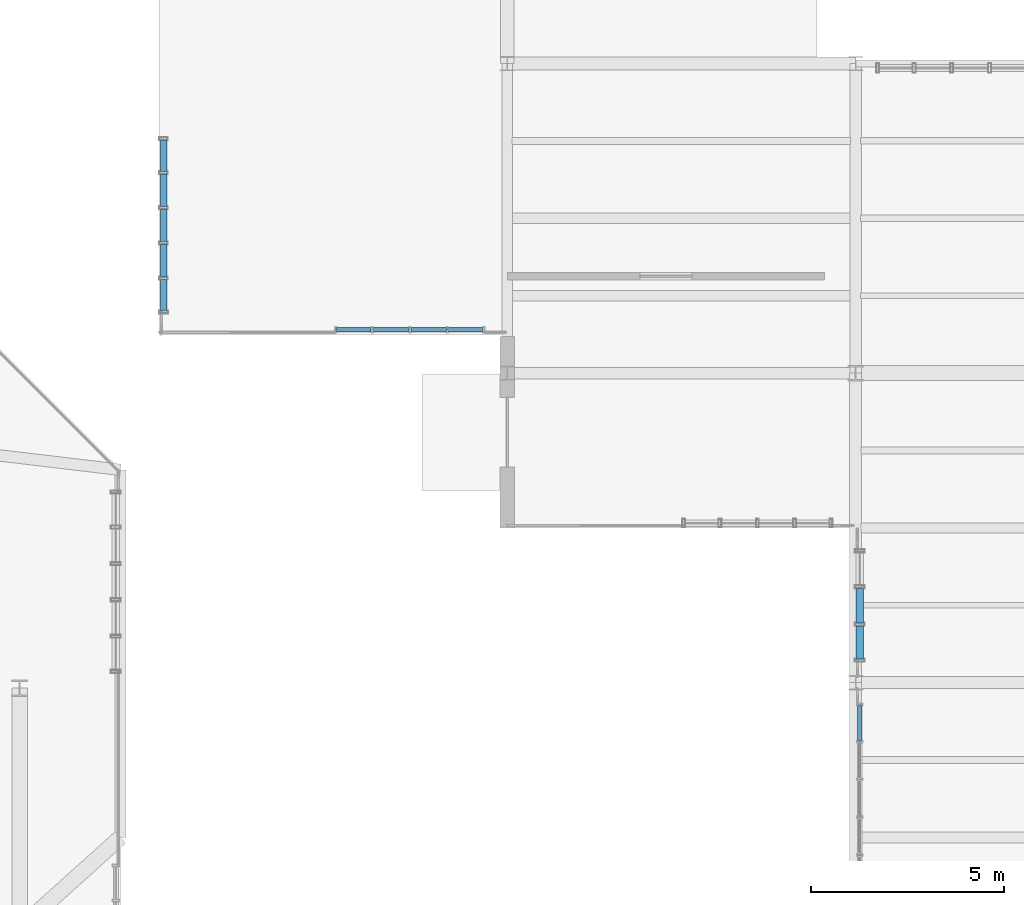
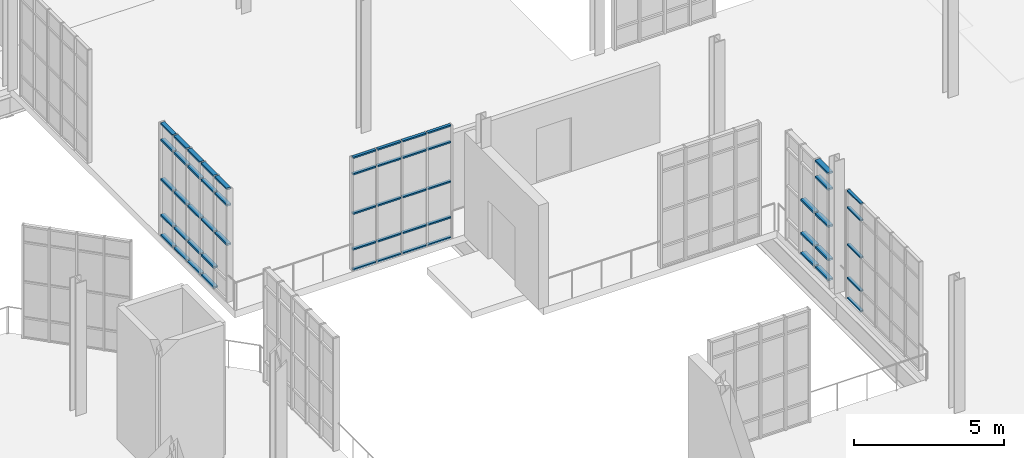
# One storey, part 128 of 189: 56 members, 4 elements without a shape of their own.
"""IFC4 building model written with IfcOpenShell, lengths in metres."""

import ifcopenshell
import ifcopenshell.guid

model = None  # the IFC model being written
_history = None  # IfcOwnerHistory: only IFC2X3 demands one
_inside = {}  # id of a spatial element -> (the spatial element, [elements in it])
_under = {}  # id of a project, library or spatial element -> (it, [spatial elements below it])
_declared = {}  # id of a project -> (the project, [libraries it declares])
_typed = {}  # id of a type object -> (the type object, [elements of that type])
_made_of = {}  # id of a material, layer set ... -> (it, [elements and type objects made of it])


def new_model(schema):
    """Start an empty IFC model of exactly this schema.

    Asked for "IFC4X3", IfcOpenShell would pick the latest addendum, in which some entities
    have other attributes; the version numbers below select the first issue.
    IFC2X3 requires an IfcOwnerHistory on every rooted entity: one is made here for all.
    """
    global model, _history
    if schema == "IFC4X3":
        model = ifcopenshell.file(schema_version=(4, 3, 0, 0))
    else:
        model = ifcopenshell.file(schema=schema)
    _inside.clear()
    _under.clear()
    _declared.clear()
    _typed.clear()
    _made_of.clear()
    _history = None
    if model.schema == "IFC2X3":
        org = make("IfcOrganization", Name="unknown")
        user = make(
            "IfcPersonAndOrganization",
            ThePerson=make("IfcPerson", FamilyName="unknown"),
            TheOrganization=org,
        )
        app = make(
            "IfcApplication",
            ApplicationDeveloper=org,
            Version="unknown",
            ApplicationFullName="unknown",
            ApplicationIdentifier="unknown",
        )
        _history = make(
            "IfcOwnerHistory",
            OwningUser=user,
            OwningApplication=app,
            ChangeAction="ADDED",
            CreationDate=0,
        )
    return model


def make(cls, **values):
    """One entity of the class cls with the attributes given. An attribute that is None is left unset."""
    return model.create_entity(
        cls, **{name: value for name, value in values.items() if value is not None}
    )


def rooted(cls, **values):
    """An entity with a GlobalId (a new one), such as an element, a storey or a relation."""
    return make(cls, GlobalId=ifcopenshell.guid.new(), OwnerHistory=_history, **values)


def si_unit(unit_type, name, prefix=None):
    """IfcSIUnit, for example si_unit("LENGTHUNIT", "METRE", prefix="MILLI")."""
    return make("IfcSIUnit", UnitType=unit_type, Prefix=prefix, Name=name)


def assignment(units):
    """IfcUnitAssignment: the units of a project."""
    return None if units is None else make("IfcUnitAssignment", Units=units)


def point(xyz):
    """IfcCartesianPoint."""
    return None if xyz is None else make("IfcCartesianPoint", Coordinates=xyz)


def direction(xyz):
    """IfcDirection."""
    return None if xyz is None else make("IfcDirection", DirectionRatios=xyz)


def frame(location, z_axis=None, x_axis=None):
    """IfcAxis2Placement3D, a coordinate frame: its origin and axes. An axis left out is left unset."""
    return make(
        "IfcAxis2Placement3D",
        Location=point(location),
        Axis=direction(z_axis),
        RefDirection=direction(x_axis),
    )


def frame_2d(location, x_axis=None):
    """IfcAxis2Placement2D, a coordinate frame in the plane: its origin and x axis."""
    return make(
        "IfcAxis2Placement2D", Location=point(location), RefDirection=direction(x_axis)
    )


def origin():
    """The frame at (0, 0, 0) with its axes left unset."""
    return frame((0.0, 0.0, 0.0))


def origin_2d():
    """The frame at (0, 0) in the plane with its x axis left unset."""
    return frame_2d((0.0, 0.0))


def place(relative_to, where):
    """IfcLocalPlacement: puts the frame where relative to a parent placement (None: the world)."""
    return make(
        "IfcLocalPlacement", PlacementRelTo=relative_to, RelativePlacement=where
    )


def context(
    kind, dimensions, precision=None, world=None, true_north=None, identifier=None
):
    """IfcGeometricRepresentationContext, for example the 3D "Model" context."""
    return make(
        "IfcGeometricRepresentationContext",
        ContextIdentifier=identifier,
        ContextType=kind,
        CoordinateSpaceDimension=dimensions,
        Precision=precision,
        WorldCoordinateSystem=world,
        TrueNorth=true_north,
    )


def subcontext(parent, identifier, kind, view, scale=None):
    """IfcGeometricRepresentationSubContext, for example "Body" below "Model"."""
    return make(
        "IfcGeometricRepresentationSubContext",
        ContextIdentifier=identifier,
        ContextType=kind,
        ParentContext=parent,
        TargetScale=scale,
        TargetView=view,
    )


def project(units=None, contexts=None):
    """IfcProject with its units and contexts."""
    return rooted(
        "IfcProject",
        Name="project",
        RepresentationContexts=contexts,
        UnitsInContext=assignment(units),
    )


def spatial(cls, under=None, at=None, **own):
    """A site, building, storey or space (cls), placed at a placement, below another one or the project."""
    s = rooted(cls, ObjectPlacement=at, **own)
    if under is not None:
        _under.setdefault(under.id(), (under, []))[1].append(s)
    return s


def profile(cls, at=None, kind="AREA", **sizes):
    """A parametric profile (cls). Its sizes go by their IFC names, for example OverallWidth=200.0."""
    return make(cls, ProfileType=kind, Position=at, **sizes)


def hollow_rectangle(**sizes):
    """IfcRectangleHollowProfileDef."""
    return profile("IfcRectangleHollowProfileDef", **sizes)


def extrude(swept, where, along, depth):
    """IfcExtrudedAreaSolid: the profile swept, set in the frame where, extruded along a direction by depth."""
    return make(
        "IfcExtrudedAreaSolid",
        SweptArea=swept,
        Position=where,
        ExtrudedDirection=direction(along),
        Depth=depth,
    )


def shape(context_of_items, identifier, shape_type, items):
    """IfcShapeRepresentation: the items that make up one representation, for example the "Body"."""
    return make(
        "IfcShapeRepresentation",
        ContextOfItems=context_of_items,
        RepresentationIdentifier=identifier,
        RepresentationType=shape_type,
        Items=items,
    )


def material(Name=None, Category=None):
    """IfcMaterial."""
    return make("IfcMaterial", Name=Name, Category=Category)


def layer(
    of_material, thickness, ventilated=None, Name=None, Category=None, Priority=None
):
    """IfcMaterialLayer: one layer of a wall or slab, of a material (None: an air gap)."""
    return make(
        "IfcMaterialLayer",
        Material=of_material,
        LayerThickness=thickness,
        IsVentilated=ventilated,
        Name=Name,
        Category=Category,
        Priority=Priority,
    )


def layer_set(layers, Name=None):
    """IfcMaterialLayerSet."""
    return make("IfcMaterialLayerSet", MaterialLayers=layers, LayerSetName=Name)


def material_profile(
    of_material, cross_section, Name=None, Category=None, Priority=None
):
    """IfcMaterialProfile: a cross section and its material."""
    return make(
        "IfcMaterialProfile",
        Name=Name,
        Material=of_material,
        Profile=cross_section,
        Priority=Priority,
        Category=Category,
    )


def profile_set(profiles, Name=None, composite=None):
    """IfcMaterialProfileSet."""
    return make(
        "IfcMaterialProfileSet",
        Name=Name,
        MaterialProfiles=profiles,
        CompositeProfile=composite,
    )


def made_of(thing, what):
    """Note that an element or type object is made of a material, layer set ...; save() writes the relation."""
    if what is not None:
        _made_of.setdefault(what.id(), (what, []))[1].append(thing)
    return thing


def type_object(cls, material=None, **own):
    """A type object (cls), such as IfcWallType, which elements share."""
    return made_of(rooted(cls, **own), material)


def element(
    cls,
    number,
    at=None,
    inside=None,
    cuts=None,
    type_object=None,
    material=None,
    context=None,
    identifier="Body",
    shape_type=None,
    held_by="IfcProductDefinitionShape",
    body=None,
    shapes=None,
    **own,
):
    """One element of the class cls, such as IfcWall. Its Tag is "e" and its number.

    at: its placement. inside: the storey or other place that contains it. cuts: it is an
    opening in that element (IfcRelVoidsElement). A single representation is given by context,
    identifier, shape_type and body (its items); several are given by shapes. held_by: the class
    of the entity that holds the representations. save() writes the other relations.
    """
    e = rooted(cls, Tag="e%d" % number, ObjectPlacement=at, **own)
    if body is not None:
        shapes = [shape(context, identifier, shape_type, body)]
    if shapes is not None:
        e.Representation = make(held_by, Representations=shapes)
    if inside is not None:
        _inside.setdefault(inside.id(), (inside, []))[1].append(e)
    if cuts is not None:
        rooted(
            "IfcRelVoidsElement", RelatingBuildingElement=cuts, RelatedOpeningElement=e
        )
    if type_object is not None:
        _typed.setdefault(type_object.id(), (type_object, []))[1].append(e)
    return made_of(e, material)


def aggregate(whole, parts):
    """IfcRelAggregates: a whole, such as a stair, and the parts it consists of."""
    return rooted("IfcRelAggregates", RelatingObject=whole, RelatedObjects=parts)


def save(model, path):
    """Write the relations noted so far, then the file.

    IfcRelAggregates (storeys below a building ...), IfcRelContainedInSpatialStructure (elements
    in a storey), IfcRelDefinesByType, IfcRelAssociatesMaterial and IfcRelDeclares: one each for
    every whole, place, type object, material and project.
    """
    for whole, parts in _under.values():
        aggregate(whole, parts)
    for where, things in _inside.values():
        rooted(
            "IfcRelContainedInSpatialStructure",
            RelatedElements=things,
            RelatingStructure=where,
        )
    for kind, things in _typed.values():
        rooted("IfcRelDefinesByType", RelatedObjects=things, RelatingType=kind)
    for what, things in _made_of.values():
        rooted("IfcRelAssociatesMaterial", RelatedObjects=things, RelatingMaterial=what)
    for by, libraries in _declared.values():
        rooted("IfcRelDeclares", RelatingContext=by, RelatedDefinitions=libraries)
    model.write(path)


model = new_model("IFC4")

# Units and contexts
model_context = context("Model", 3, precision=1e-05, world=origin(), true_north=direction((0.0, 1.0)))
body_context = subcontext(model_context, "Body", "Model", "MODEL_VIEW")
ifc_project = project(units=[si_unit("LENGTHUNIT", "METRE"), si_unit("AREAUNIT", "SQUARE_METRE"), si_unit("VOLUMEUNIT", "CUBIC_METRE"), si_unit("PLANEANGLEUNIT", "RADIAN"), si_unit("MASSUNIT", "GRAM", prefix="KILO"), si_unit("THERMODYNAMICTEMPERATUREUNIT", "KELVIN"), si_unit("POWERUNIT", "WATT")], contexts=[model_context])

# Site, building, storey
site_placement = place(None, origin())
site = spatial("IfcSite", under=ifc_project, at=site_placement, CompositionType="ELEMENT")
building_placement = place(site_placement, origin())
building = spatial("IfcBuilding", under=site, at=building_placement, Name="Zelmaris Science Centre", CompositionType="ELEMENT")
storey_placement = place(building_placement, origin())
storey = spatial("IfcBuildingStorey", under=building, at=storey_placement, Name="L00", CompositionType="ELEMENT", Elevation=0.0)

# Curtain wall, members
ifc_material = material(Name="Anodised architectural aluminium 6063-T6", Category="aluminium")
ifc_layer_1 = layer(ifc_material, 0.219970703125, Name="Anodised architectural aluminium 6063-T6")
ifc_layer_set_1 = layer_set([ifc_layer_1], Name="Anodised architectural aluminium 6063-T6")
curtain_wall_type_1 = type_object("IfcCurtainWallType", Name="Curtain Wall CW-04", PredefinedType="USERDEFINED", material=ifc_layer_set_1)
curtain_wall_1_placement = place(storey_placement, origin())
curtain_wall_1 = element("IfcCurtainWall", 1, at=curtain_wall_1_placement, inside=storey, type_object=curtain_wall_type_1, Name="L00 Unitised curtain wall 68", ObjectType="GLAZED CURTAIN WALL", PredefinedType="USERDEFINED")
ifc_material_profile_1 = material_profile(ifc_material, hollow_rectangle(XDim=0.06005859375, YDim=0.110107421875, WallThickness=0.0029296875, at=origin_2d()), Name="ALU-TRN-60X110")
ifc_profile_set_1 = profile_set([ifc_material_profile_1], Name="Anodised architectural aluminium 6063-T6")
member_type_1 = type_object("IfcMemberType", Name="ALU-TRN-60X110", PredefinedType="USERDEFINED", material=ifc_profile_set_1)
member_1_placement = place(storey_placement, frame((117.1083984375, 38.50732421875, 0.010986328125), z_axis=(-0.000542152265, 0.999999853035, 0.0), x_axis=(0.0, 0.0, 1.0)))
member_1 = element("IfcMember", 2, at=member_1_placement, type_object=member_type_1, Name="CW-04 transom 5.1", ObjectType="TRANSOM", PredefinedType="USERDEFINED", context=body_context, shape_type="SweptSolid", body=[
    extrude(hollow_rectangle(XDim=0.06005859375, YDim=0.110107421875, WallThickness=0.0029296875, at=origin_2d()), origin(), (0.0, 0.0, 1.0), 0.900634765625),
])
member_2_placement = place(storey_placement, frame((117.1083984375, 38.50732421875, 0.8349609375), z_axis=(-0.000542152265, 0.999999853035, 0.0), x_axis=(0.0, 0.0, 1.0)))
member_2 = element("IfcMember", 3, at=member_2_placement, type_object=member_type_1, Name="CW-04 transom 5.2", ObjectType="TRANSOM", PredefinedType="USERDEFINED", context=body_context, shape_type="SweptSolid", body=[
    extrude(hollow_rectangle(XDim=0.06005859375, YDim=0.110107421875, WallThickness=0.0029296875, at=origin_2d()), origin(), (0.0, 0.0, 1.0), 0.900634765625),
])
member_3_placement = place(storey_placement, frame((117.1083984375, 38.50732421875, 2.196044921875), z_axis=(-0.000542152265, 0.999999853035, 0.0), x_axis=(0.0, 0.0, 1.0)))
member_3 = element("IfcMember", 4, at=member_3_placement, type_object=member_type_1, Name="CW-04 transom 5.3", ObjectType="TRANSOM", PredefinedType="USERDEFINED", context=body_context, shape_type="SweptSolid", body=[
    extrude(hollow_rectangle(XDim=0.06005859375, YDim=0.110107421875, WallThickness=0.0029296875, at=origin_2d()), origin(), (0.0, 0.0, 1.0), 0.900634765625),
])
member_4_placement = place(storey_placement, frame((117.1083984375, 38.50732421875, 3.70703125), z_axis=(-0.000542152265, 0.999999853035, 0.0), x_axis=(0.0, 0.0, 1.0)))
member_4 = element("IfcMember", 5, at=member_4_placement, type_object=member_type_1, Name="CW-04 transom 5.4", ObjectType="TRANSOM", PredefinedType="USERDEFINED", context=body_context, shape_type="SweptSolid", body=[
    extrude(hollow_rectangle(XDim=0.06005859375, YDim=0.110107421875, WallThickness=0.0029296875, at=origin_2d()), origin(), (0.0, 0.0, 1.0), 0.900634765625),
])
member_5_placement = place(storey_placement, frame((117.1083984375, 38.50732421875, 4.381103515625), z_axis=(-0.000542152265, 0.999999853035, 0.0), x_axis=(0.0, 0.0, 1.0)))
member_5 = element("IfcMember", 6, at=member_5_placement, type_object=member_type_1, Name="CW-04 transom 5.5", ObjectType="TRANSOM", PredefinedType="USERDEFINED", context=body_context, shape_type="SweptSolid", body=[
    extrude(hollow_rectangle(XDim=0.06005859375, YDim=0.110107421875, WallThickness=0.0029296875, at=origin_2d()), origin(), (0.0, 0.0, 1.0), 0.900634765625),
])
aggregate(curtain_wall_1, [member_1, member_2, member_3, member_4, member_5])

curtain_wall_2_placement = place(storey_placement, origin())
curtain_wall_2 = element("IfcCurtainWall", 7, at=curtain_wall_2_placement, inside=storey, type_object=curtain_wall_type_1, Name="L00 Unitised curtain wall 72", ObjectType="GLAZED CURTAIN WALL", PredefinedType="USERDEFINED")
member_6_placement = place(storey_placement, frame((107.365478515625, 49.11767578125, 0.010986328125), z_axis=(-0.999999962531, 0.000273747594, 0.0), x_axis=(0.0, 0.0, 1.0)))
member_6 = element("IfcMember", 8, at=member_6_placement, type_object=member_type_1, Name="CW-04 transom 1.1", ObjectType="TRANSOM", PredefinedType="USERDEFINED", context=body_context, shape_type="SweptSolid", body=[
    extrude(hollow_rectangle(XDim=0.06005859375, YDim=0.110107421875, WallThickness=0.0029296875, at=origin_2d()), origin(), (0.0, 0.0, 1.0), 0.891845703125),
])
member_7_placement = place(storey_placement, frame((107.365478515625, 49.11767578125, 0.8349609375), z_axis=(-0.999999962531, 0.000273747594, 0.0), x_axis=(0.0, 0.0, 1.0)))
member_7 = element("IfcMember", 9, at=member_7_placement, type_object=member_type_1, Name="CW-04 transom 1.2", ObjectType="TRANSOM", PredefinedType="USERDEFINED", context=body_context, shape_type="SweptSolid", body=[
    extrude(hollow_rectangle(XDim=0.06005859375, YDim=0.110107421875, WallThickness=0.0029296875, at=origin_2d()), origin(), (0.0, 0.0, 1.0), 0.891845703125),
])
member_8_placement = place(storey_placement, frame((107.365478515625, 49.11767578125, 2.29248046875), z_axis=(-0.999999962531, 0.000273747594, 0.0), x_axis=(0.0, 0.0, 1.0)))
member_8 = element("IfcMember", 10, at=member_8_placement, type_object=member_type_1, Name="CW-04 transom 1.3", ObjectType="TRANSOM", PredefinedType="USERDEFINED", context=body_context, shape_type="SweptSolid", body=[
    extrude(hollow_rectangle(XDim=0.06005859375, YDim=0.110107421875, WallThickness=0.0029296875, at=origin_2d()), origin(), (0.0, 0.0, 1.0), 0.891845703125),
])
member_9_placement = place(storey_placement, frame((107.365478515625, 49.11767578125, 3.89990234375), z_axis=(-0.999999962531, 0.000273747594, 0.0), x_axis=(0.0, 0.0, 1.0)))
member_9 = element("IfcMember", 11, at=member_9_placement, type_object=member_type_1, Name="CW-04 transom 1.4", ObjectType="TRANSOM", PredefinedType="USERDEFINED", context=body_context, shape_type="SweptSolid", body=[
    extrude(hollow_rectangle(XDim=0.06005859375, YDim=0.110107421875, WallThickness=0.0029296875, at=origin_2d()), origin(), (0.0, 0.0, 1.0), 0.891845703125),
])
member_10_placement = place(storey_placement, frame((107.365478515625, 49.11767578125, 4.573974609375), z_axis=(-0.999999962531, 0.000273747594, 0.0), x_axis=(0.0, 0.0, 1.0)))
member_10 = element("IfcMember", 12, at=member_10_placement, type_object=member_type_1, Name="CW-04 transom 1.5", ObjectType="TRANSOM", PredefinedType="USERDEFINED", context=body_context, shape_type="SweptSolid", body=[
    extrude(hollow_rectangle(XDim=0.06005859375, YDim=0.110107421875, WallThickness=0.0029296875, at=origin_2d()), origin(), (0.0, 0.0, 1.0), 0.891845703125),
])
member_11_placement = place(storey_placement, frame((106.421630859375, 49.117919921875, 0.010986328125), z_axis=(-0.999999964596, 0.000266098979, 0.0), x_axis=(0.0, 0.0, 1.0)))
member_11 = element("IfcMember", 13, at=member_11_placement, type_object=member_type_1, Name="CW-04 transom 2.1", ObjectType="TRANSOM", PredefinedType="USERDEFINED", context=body_context, shape_type="SweptSolid", body=[
    extrude(hollow_rectangle(XDim=0.06005859375, YDim=0.110107421875, WallThickness=0.0029296875, at=origin_2d()), origin(), (0.0, 0.0, 1.0), 0.91748046875),
])
member_12_placement = place(storey_placement, frame((106.421630859375, 49.117919921875, 0.8349609375), z_axis=(-0.999999964596, 0.000266098979, 0.0), x_axis=(0.0, 0.0, 1.0)))
member_12 = element("IfcMember", 14, at=member_12_placement, type_object=member_type_1, Name="CW-04 transom 2.2", ObjectType="TRANSOM", PredefinedType="USERDEFINED", context=body_context, shape_type="SweptSolid", body=[
    extrude(hollow_rectangle(XDim=0.06005859375, YDim=0.110107421875, WallThickness=0.0029296875, at=origin_2d()), origin(), (0.0, 0.0, 1.0), 0.91748046875),
])
member_13_placement = place(storey_placement, frame((106.421630859375, 49.117919921875, 2.29248046875), z_axis=(-0.999999964596, 0.000266098979, 0.0), x_axis=(0.0, 0.0, 1.0)))
member_13 = element("IfcMember", 15, at=member_13_placement, type_object=member_type_1, Name="CW-04 transom 2.3", ObjectType="TRANSOM", PredefinedType="USERDEFINED", context=body_context, shape_type="SweptSolid", body=[
    extrude(hollow_rectangle(XDim=0.06005859375, YDim=0.110107421875, WallThickness=0.0029296875, at=origin_2d()), origin(), (0.0, 0.0, 1.0), 0.91748046875),
])
member_14_placement = place(storey_placement, frame((106.421630859375, 49.117919921875, 3.89990234375), z_axis=(-0.999999964596, 0.000266098979, 0.0), x_axis=(0.0, 0.0, 1.0)))
member_14 = element("IfcMember", 16, at=member_14_placement, type_object=member_type_1, Name="CW-04 transom 2.4", ObjectType="TRANSOM", PredefinedType="USERDEFINED", context=body_context, shape_type="SweptSolid", body=[
    extrude(hollow_rectangle(XDim=0.06005859375, YDim=0.110107421875, WallThickness=0.0029296875, at=origin_2d()), origin(), (0.0, 0.0, 1.0), 0.91748046875),
])
member_15_placement = place(storey_placement, frame((106.421630859375, 49.117919921875, 4.573974609375), z_axis=(-0.999999964596, 0.000266098979, 0.0), x_axis=(0.0, 0.0, 1.0)))
member_15 = element("IfcMember", 17, at=member_15_placement, type_object=member_type_1, Name="CW-04 transom 2.5", ObjectType="TRANSOM", PredefinedType="USERDEFINED", context=body_context, shape_type="SweptSolid", body=[
    extrude(hollow_rectangle(XDim=0.06005859375, YDim=0.110107421875, WallThickness=0.0029296875, at=origin_2d()), origin(), (0.0, 0.0, 1.0), 0.91748046875),
])
member_16_placement = place(storey_placement, frame((105.4521484375, 49.1181640625, 0.010986328125), z_axis=(-0.999999964615, 0.00026602819, 0.0), x_axis=(0.0, 0.0, 1.0)))
member_16 = element("IfcMember", 18, at=member_16_placement, type_object=member_type_1, Name="CW-04 transom 3.1", ObjectType="TRANSOM", PredefinedType="USERDEFINED", context=body_context, shape_type="SweptSolid", body=[
    extrude(hollow_rectangle(XDim=0.06005859375, YDim=0.110107421875, WallThickness=0.0029296875, at=origin_2d()), origin(), (0.0, 0.0, 1.0), 0.917724609375),
])
member_17_placement = place(storey_placement, frame((105.4521484375, 49.1181640625, 0.8349609375), z_axis=(-0.999999964615, 0.00026602819, 0.0), x_axis=(0.0, 0.0, 1.0)))
member_17 = element("IfcMember", 19, at=member_17_placement, type_object=member_type_1, Name="CW-04 transom 3.2", ObjectType="TRANSOM", PredefinedType="USERDEFINED", context=body_context, shape_type="SweptSolid", body=[
    extrude(hollow_rectangle(XDim=0.06005859375, YDim=0.110107421875, WallThickness=0.0029296875, at=origin_2d()), origin(), (0.0, 0.0, 1.0), 0.917724609375),
])
member_18_placement = place(storey_placement, frame((105.4521484375, 49.1181640625, 2.29248046875), z_axis=(-0.999999964615, 0.00026602819, 0.0), x_axis=(0.0, 0.0, 1.0)))
member_18 = element("IfcMember", 20, at=member_18_placement, type_object=member_type_1, Name="CW-04 transom 3.3", ObjectType="TRANSOM", PredefinedType="USERDEFINED", context=body_context, shape_type="SweptSolid", body=[
    extrude(hollow_rectangle(XDim=0.06005859375, YDim=0.110107421875, WallThickness=0.0029296875, at=origin_2d()), origin(), (0.0, 0.0, 1.0), 0.917724609375),
])
member_19_placement = place(storey_placement, frame((105.4521484375, 49.1181640625, 3.89990234375), z_axis=(-0.999999964615, 0.00026602819, 0.0), x_axis=(0.0, 0.0, 1.0)))
member_19 = element("IfcMember", 21, at=member_19_placement, type_object=member_type_1, Name="CW-04 transom 3.4", ObjectType="TRANSOM", PredefinedType="USERDEFINED", context=body_context, shape_type="SweptSolid", body=[
    extrude(hollow_rectangle(XDim=0.06005859375, YDim=0.110107421875, WallThickness=0.0029296875, at=origin_2d()), origin(), (0.0, 0.0, 1.0), 0.917724609375),
])
member_20_placement = place(storey_placement, frame((105.4521484375, 49.1181640625, 4.573974609375), z_axis=(-0.999999964615, 0.00026602819, 0.0), x_axis=(0.0, 0.0, 1.0)))
member_20 = element("IfcMember", 22, at=member_20_placement, type_object=member_type_1, Name="CW-04 transom 3.5", ObjectType="TRANSOM", PredefinedType="USERDEFINED", context=body_context, shape_type="SweptSolid", body=[
    extrude(hollow_rectangle(XDim=0.06005859375, YDim=0.110107421875, WallThickness=0.0029296875, at=origin_2d()), origin(), (0.0, 0.0, 1.0), 0.917724609375),
])
member_21_placement = place(storey_placement, frame((104.482421875, 49.118408203125, 0.010986328125), z_axis=(-0.999999962511, 0.000273822553, 0.0), x_axis=(0.0, 0.0, 1.0)))
member_21 = element("IfcMember", 23, at=member_21_placement, type_object=member_type_1, Name="CW-04 transom 4.1", ObjectType="TRANSOM", PredefinedType="USERDEFINED", context=body_context, shape_type="SweptSolid", body=[
    extrude(hollow_rectangle(XDim=0.06005859375, YDim=0.110107421875, WallThickness=0.0029296875, at=origin_2d()), origin(), (0.0, 0.0, 1.0), 0.8916015625),
])
member_22_placement = place(storey_placement, frame((104.482421875, 49.118408203125, 0.8349609375), z_axis=(-0.999999962511, 0.000273822553, 0.0), x_axis=(0.0, 0.0, 1.0)))
member_22 = element("IfcMember", 24, at=member_22_placement, type_object=member_type_1, Name="CW-04 transom 4.2", ObjectType="TRANSOM", PredefinedType="USERDEFINED", context=body_context, shape_type="SweptSolid", body=[
    extrude(hollow_rectangle(XDim=0.06005859375, YDim=0.110107421875, WallThickness=0.0029296875, at=origin_2d()), origin(), (0.0, 0.0, 1.0), 0.8916015625),
])
member_23_placement = place(storey_placement, frame((104.482421875, 49.118408203125, 2.29248046875), z_axis=(-0.999999962511, 0.000273822553, 0.0), x_axis=(0.0, 0.0, 1.0)))
member_23 = element("IfcMember", 25, at=member_23_placement, type_object=member_type_1, Name="CW-04 transom 4.3", ObjectType="TRANSOM", PredefinedType="USERDEFINED", context=body_context, shape_type="SweptSolid", body=[
    extrude(hollow_rectangle(XDim=0.06005859375, YDim=0.110107421875, WallThickness=0.0029296875, at=origin_2d()), origin(), (0.0, 0.0, 1.0), 0.8916015625),
])
member_24_placement = place(storey_placement, frame((104.482421875, 49.118408203125, 3.89990234375), z_axis=(-0.999999962511, 0.000273822553, 0.0), x_axis=(0.0, 0.0, 1.0)))
member_24 = element("IfcMember", 26, at=member_24_placement, type_object=member_type_1, Name="CW-04 transom 4.4", ObjectType="TRANSOM", PredefinedType="USERDEFINED", context=body_context, shape_type="SweptSolid", body=[
    extrude(hollow_rectangle(XDim=0.06005859375, YDim=0.110107421875, WallThickness=0.0029296875, at=origin_2d()), origin(), (0.0, 0.0, 1.0), 0.8916015625),
])
member_25_placement = place(storey_placement, frame((104.482421875, 49.118408203125, 4.573974609375), z_axis=(-0.999999962511, 0.000273822553, 0.0), x_axis=(0.0, 0.0, 1.0)))
member_25 = element("IfcMember", 27, at=member_25_placement, type_object=member_type_1, Name="CW-04 transom 4.5", ObjectType="TRANSOM", PredefinedType="USERDEFINED", context=body_context, shape_type="SweptSolid", body=[
    extrude(hollow_rectangle(XDim=0.06005859375, YDim=0.110107421875, WallThickness=0.0029296875, at=origin_2d()), origin(), (0.0, 0.0, 1.0), 0.8916015625),
])
aggregate(curtain_wall_2, [member_6, member_7, member_8, member_9, member_10, member_11, member_12, member_13, member_14, member_15, member_16, member_17, member_18, member_19, member_20, member_21, member_22, member_23, member_24, member_25])

ifc_layer_2 = layer(ifc_material, 0.199951171875, Name="Anodised architectural aluminium 6063-T6")
ifc_layer_set_2 = layer_set([ifc_layer_2], Name="Anodised architectural aluminium 6063-T6")
curtain_wall_type_2 = type_object("IfcCurtainWallType", Name="Curtain Wall CW-02", PredefinedType="USERDEFINED", material=ifc_layer_set_2)
curtain_wall_3_placement = place(storey_placement, origin())
curtain_wall_3 = element("IfcCurtainWall", 28, at=curtain_wall_3_placement, inside=storey, type_object=curtain_wall_type_2, Name="L00 Unitised curtain wall 74", ObjectType="GLAZED CURTAIN WALL", PredefinedType="USERDEFINED")
ifc_material_profile_2 = material_profile(ifc_material, hollow_rectangle(XDim=0.074951171875, YDim=0.159912109375, WallThickness=0.00390625, at=origin_2d()), Name="ALU-TRN-75X160")
ifc_profile_set_2 = profile_set([ifc_material_profile_2], Name="Anodised architectural aluminium 6063-T6")
member_type_2 = type_object("IfcMemberType", Name="ALU-TRN-75X160", PredefinedType="USERDEFINED", material=ifc_profile_set_2)
member_26_placement = place(storey_placement, frame((99.119873046875, 49.607177734375, 2.29248046875), z_axis=(-0.000603318141, 0.999999818004, 0.0), x_axis=(0.0, 0.0, 1.0)))
member_26 = element("IfcMember", 29, at=member_26_placement, type_object=member_type_2, Name="CW-02 transom 1.3", ObjectType="TRANSOM", PredefinedType="USERDEFINED", context=body_context, shape_type="SweptSolid", body=[
    extrude(hollow_rectangle(XDim=0.074951171875, YDim=0.159912109375, WallThickness=0.00390625, at=origin_2d()), origin(), (0.0, 0.0, 1.0), 0.809326171875),
])
member_27_placement = place(storey_placement, frame((99.119873046875, 49.607177734375, 3.89990234375), z_axis=(-0.000603318141, 0.999999818004, 0.0), x_axis=(0.0, 0.0, 1.0)))
member_27 = element("IfcMember", 30, at=member_27_placement, type_object=member_type_2, Name="CW-02 transom 1.4", ObjectType="TRANSOM", PredefinedType="USERDEFINED", context=body_context, shape_type="SweptSolid", body=[
    extrude(hollow_rectangle(XDim=0.074951171875, YDim=0.159912109375, WallThickness=0.00390625, at=origin_2d()), origin(), (0.0, 0.0, 1.0), 0.809326171875),
])
member_28_placement = place(storey_placement, frame((99.119873046875, 49.607177734375, 4.56640625), z_axis=(-0.000603318141, 0.999999818004, 0.0), x_axis=(0.0, 0.0, 1.0)))
member_28 = element("IfcMember", 31, at=member_28_placement, type_object=member_type_2, Name="CW-02 transom 1.5", ObjectType="TRANSOM", PredefinedType="USERDEFINED", context=body_context, shape_type="SweptSolid", body=[
    extrude(hollow_rectangle(XDim=0.074951171875, YDim=0.159912109375, WallThickness=0.00390625, at=origin_2d()), origin(), (0.0, 0.0, 1.0), 0.809326171875),
])
member_29_placement = place(storey_placement, frame((99.119384765625, 50.483642578125, 0.0185546875), z_axis=(-0.000579374179, 0.999999832163, 0.0), x_axis=(0.0, 0.0, 1.0)))
member_29 = element("IfcMember", 32, at=member_29_placement, type_object=member_type_2, Name="CW-02 transom 2.1", ObjectType="TRANSOM", PredefinedType="USERDEFINED", context=body_context, shape_type="SweptSolid", body=[
    extrude(hollow_rectangle(XDim=0.074951171875, YDim=0.159912109375, WallThickness=0.00390625, at=origin_2d()), origin(), (0.0, 0.0, 1.0), 0.8427734375),
])
member_30_placement = place(storey_placement, frame((99.119384765625, 50.483642578125, 0.8349609375), z_axis=(-0.000579374179, 0.999999832163, 0.0), x_axis=(0.0, 0.0, 1.0)))
member_30 = element("IfcMember", 33, at=member_30_placement, type_object=member_type_2, Name="CW-02 transom 2.2", ObjectType="TRANSOM", PredefinedType="USERDEFINED", context=body_context, shape_type="SweptSolid", body=[
    extrude(hollow_rectangle(XDim=0.074951171875, YDim=0.159912109375, WallThickness=0.00390625, at=origin_2d()), origin(), (0.0, 0.0, 1.0), 0.8427734375),
])
member_31_placement = place(storey_placement, frame((99.119384765625, 50.483642578125, 2.29248046875), z_axis=(-0.000579374179, 0.999999832163, 0.0), x_axis=(0.0, 0.0, 1.0)))
member_31 = element("IfcMember", 34, at=member_31_placement, type_object=member_type_2, Name="CW-02 transom 2.3", ObjectType="TRANSOM", PredefinedType="USERDEFINED", context=body_context, shape_type="SweptSolid", body=[
    extrude(hollow_rectangle(XDim=0.074951171875, YDim=0.159912109375, WallThickness=0.00390625, at=origin_2d()), origin(), (0.0, 0.0, 1.0), 0.8427734375),
])
member_32_placement = place(storey_placement, frame((99.119384765625, 50.483642578125, 3.89990234375), z_axis=(-0.000579374179, 0.999999832163, 0.0), x_axis=(0.0, 0.0, 1.0)))
member_32 = element("IfcMember", 35, at=member_32_placement, type_object=member_type_2, Name="CW-02 transom 2.4", ObjectType="TRANSOM", PredefinedType="USERDEFINED", context=body_context, shape_type="SweptSolid", body=[
    extrude(hollow_rectangle(XDim=0.074951171875, YDim=0.159912109375, WallThickness=0.00390625, at=origin_2d()), origin(), (0.0, 0.0, 1.0), 0.8427734375),
])
member_33_placement = place(storey_placement, frame((99.119384765625, 50.483642578125, 4.56640625), z_axis=(-0.000579374179, 0.999999832163, 0.0), x_axis=(0.0, 0.0, 1.0)))
member_33 = element("IfcMember", 36, at=member_33_placement, type_object=member_type_2, Name="CW-02 transom 2.5", ObjectType="TRANSOM", PredefinedType="USERDEFINED", context=body_context, shape_type="SweptSolid", body=[
    extrude(hollow_rectangle(XDim=0.074951171875, YDim=0.159912109375, WallThickness=0.00390625, at=origin_2d()), origin(), (0.0, 0.0, 1.0), 0.8427734375),
])
member_34_placement = place(storey_placement, frame((99.118896484375, 51.3935546875, 0.0185546875), z_axis=(-0.000579374179, 0.999999832163, 0.0), x_axis=(0.0, 0.0, 1.0)))
member_34 = element("IfcMember", 37, at=member_34_placement, type_object=member_type_2, Name="CW-02 transom 3.1", ObjectType="TRANSOM", PredefinedType="USERDEFINED", context=body_context, shape_type="SweptSolid", body=[
    extrude(hollow_rectangle(XDim=0.074951171875, YDim=0.159912109375, WallThickness=0.00390625, at=origin_2d()), origin(), (0.0, 0.0, 1.0), 0.8427734375),
])
member_35_placement = place(storey_placement, frame((99.118896484375, 51.3935546875, 0.8349609375), z_axis=(-0.000579374179, 0.999999832163, 0.0), x_axis=(0.0, 0.0, 1.0)))
member_35 = element("IfcMember", 38, at=member_35_placement, type_object=member_type_2, Name="CW-02 transom 3.2", ObjectType="TRANSOM", PredefinedType="USERDEFINED", context=body_context, shape_type="SweptSolid", body=[
    extrude(hollow_rectangle(XDim=0.074951171875, YDim=0.159912109375, WallThickness=0.00390625, at=origin_2d()), origin(), (0.0, 0.0, 1.0), 0.8427734375),
])
member_36_placement = place(storey_placement, frame((99.118896484375, 51.3935546875, 2.29248046875), z_axis=(-0.000579374179, 0.999999832163, 0.0), x_axis=(0.0, 0.0, 1.0)))
member_36 = element("IfcMember", 39, at=member_36_placement, type_object=member_type_2, Name="CW-02 transom 3.3", ObjectType="TRANSOM", PredefinedType="USERDEFINED", context=body_context, shape_type="SweptSolid", body=[
    extrude(hollow_rectangle(XDim=0.074951171875, YDim=0.159912109375, WallThickness=0.00390625, at=origin_2d()), origin(), (0.0, 0.0, 1.0), 0.8427734375),
])
member_37_placement = place(storey_placement, frame((99.118896484375, 51.3935546875, 3.89990234375), z_axis=(-0.000579374179, 0.999999832163, 0.0), x_axis=(0.0, 0.0, 1.0)))
member_37 = element("IfcMember", 40, at=member_37_placement, type_object=member_type_2, Name="CW-02 transom 3.4", ObjectType="TRANSOM", PredefinedType="USERDEFINED", context=body_context, shape_type="SweptSolid", body=[
    extrude(hollow_rectangle(XDim=0.074951171875, YDim=0.159912109375, WallThickness=0.00390625, at=origin_2d()), origin(), (0.0, 0.0, 1.0), 0.8427734375),
])
member_38_placement = place(storey_placement, frame((99.118896484375, 51.3935546875, 4.56640625), z_axis=(-0.000579374179, 0.999999832163, 0.0), x_axis=(0.0, 0.0, 1.0)))
member_38 = element("IfcMember", 41, at=member_38_placement, type_object=member_type_2, Name="CW-02 transom 3.5", ObjectType="TRANSOM", PredefinedType="USERDEFINED", context=body_context, shape_type="SweptSolid", body=[
    extrude(hollow_rectangle(XDim=0.074951171875, YDim=0.159912109375, WallThickness=0.00390625, at=origin_2d()), origin(), (0.0, 0.0, 1.0), 0.8427734375),
])
member_39_placement = place(storey_placement, frame((99.118408203125, 52.30322265625, 0.0185546875), z_axis=(-0.000289603231, 0.999999958065, 0.0), x_axis=(0.0, 0.0, 1.0)))
member_39 = element("IfcMember", 42, at=member_39_placement, type_object=member_type_2, Name="CW-02 transom 4.1", ObjectType="TRANSOM", PredefinedType="USERDEFINED", context=body_context, shape_type="SweptSolid", body=[
    extrude(hollow_rectangle(XDim=0.074951171875, YDim=0.159912109375, WallThickness=0.00390625, at=origin_2d()), origin(), (0.0, 0.0, 1.0), 0.843017578125),
])
member_40_placement = place(storey_placement, frame((99.118408203125, 52.30322265625, 0.8349609375), z_axis=(-0.000289603231, 0.999999958065, 0.0), x_axis=(0.0, 0.0, 1.0)))
member_40 = element("IfcMember", 43, at=member_40_placement, type_object=member_type_2, Name="CW-02 transom 4.2", ObjectType="TRANSOM", PredefinedType="USERDEFINED", context=body_context, shape_type="SweptSolid", body=[
    extrude(hollow_rectangle(XDim=0.074951171875, YDim=0.159912109375, WallThickness=0.00390625, at=origin_2d()), origin(), (0.0, 0.0, 1.0), 0.843017578125),
])
member_41_placement = place(storey_placement, frame((99.118408203125, 52.30322265625, 2.29248046875), z_axis=(-0.000289603231, 0.999999958065, 0.0), x_axis=(0.0, 0.0, 1.0)))
member_41 = element("IfcMember", 44, at=member_41_placement, type_object=member_type_2, Name="CW-02 transom 4.3", ObjectType="TRANSOM", PredefinedType="USERDEFINED", context=body_context, shape_type="SweptSolid", body=[
    extrude(hollow_rectangle(XDim=0.074951171875, YDim=0.159912109375, WallThickness=0.00390625, at=origin_2d()), origin(), (0.0, 0.0, 1.0), 0.843017578125),
])
member_42_placement = place(storey_placement, frame((99.118408203125, 52.30322265625, 3.89990234375), z_axis=(-0.000289603231, 0.999999958065, 0.0), x_axis=(0.0, 0.0, 1.0)))
member_42 = element("IfcMember", 45, at=member_42_placement, type_object=member_type_2, Name="CW-02 transom 4.4", ObjectType="TRANSOM", PredefinedType="USERDEFINED", context=body_context, shape_type="SweptSolid", body=[
    extrude(hollow_rectangle(XDim=0.074951171875, YDim=0.159912109375, WallThickness=0.00390625, at=origin_2d()), origin(), (0.0, 0.0, 1.0), 0.843017578125),
])
member_43_placement = place(storey_placement, frame((99.118408203125, 52.30322265625, 4.56640625), z_axis=(-0.000289603231, 0.999999958065, 0.0), x_axis=(0.0, 0.0, 1.0)))
member_43 = element("IfcMember", 46, at=member_43_placement, type_object=member_type_2, Name="CW-02 transom 4.5", ObjectType="TRANSOM", PredefinedType="USERDEFINED", context=body_context, shape_type="SweptSolid", body=[
    extrude(hollow_rectangle(XDim=0.074951171875, YDim=0.159912109375, WallThickness=0.00390625, at=origin_2d()), origin(), (0.0, 0.0, 1.0), 0.843017578125),
])
member_44_placement = place(storey_placement, frame((99.117919921875, 53.213134765625, 0.0185546875), z_axis=(-0.000301568141, 0.999999954528, 0.0), x_axis=(0.0, 0.0, 1.0)))
member_44 = element("IfcMember", 47, at=member_44_placement, type_object=member_type_2, Name="CW-02 transom 5.1", ObjectType="TRANSOM", PredefinedType="USERDEFINED", context=body_context, shape_type="SweptSolid", body=[
    extrude(hollow_rectangle(XDim=0.074951171875, YDim=0.159912109375, WallThickness=0.00390625, at=origin_2d()), origin(), (0.0, 0.0, 1.0), 0.8095703125),
])
member_45_placement = place(storey_placement, frame((99.117919921875, 53.213134765625, 0.8349609375), z_axis=(-0.000301568141, 0.999999954528, 0.0), x_axis=(0.0, 0.0, 1.0)))
member_45 = element("IfcMember", 48, at=member_45_placement, type_object=member_type_2, Name="CW-02 transom 5.2", ObjectType="TRANSOM", PredefinedType="USERDEFINED", context=body_context, shape_type="SweptSolid", body=[
    extrude(hollow_rectangle(XDim=0.074951171875, YDim=0.159912109375, WallThickness=0.00390625, at=origin_2d()), origin(), (0.0, 0.0, 1.0), 0.8095703125),
])
member_46_placement = place(storey_placement, frame((99.117919921875, 53.213134765625, 2.29248046875), z_axis=(-0.000301568141, 0.999999954528, 0.0), x_axis=(0.0, 0.0, 1.0)))
member_46 = element("IfcMember", 49, at=member_46_placement, type_object=member_type_2, Name="CW-02 transom 5.3", ObjectType="TRANSOM", PredefinedType="USERDEFINED", context=body_context, shape_type="SweptSolid", body=[
    extrude(hollow_rectangle(XDim=0.074951171875, YDim=0.159912109375, WallThickness=0.00390625, at=origin_2d()), origin(), (0.0, 0.0, 1.0), 0.8095703125),
])
member_47_placement = place(storey_placement, frame((99.117919921875, 53.213134765625, 3.89990234375), z_axis=(-0.000301568141, 0.999999954528, 0.0), x_axis=(0.0, 0.0, 1.0)))
member_47 = element("IfcMember", 50, at=member_47_placement, type_object=member_type_2, Name="CW-02 transom 5.4", ObjectType="TRANSOM", PredefinedType="USERDEFINED", context=body_context, shape_type="SweptSolid", body=[
    extrude(hollow_rectangle(XDim=0.074951171875, YDim=0.159912109375, WallThickness=0.00390625, at=origin_2d()), origin(), (0.0, 0.0, 1.0), 0.8095703125),
])
member_48_placement = place(storey_placement, frame((99.117919921875, 53.213134765625, 4.56640625), z_axis=(-0.000301568141, 0.999999954528, 0.0), x_axis=(0.0, 0.0, 1.0)))
member_48 = element("IfcMember", 51, at=member_48_placement, type_object=member_type_2, Name="CW-02 transom 5.5", ObjectType="TRANSOM", PredefinedType="USERDEFINED", context=body_context, shape_type="SweptSolid", body=[
    extrude(hollow_rectangle(XDim=0.074951171875, YDim=0.159912109375, WallThickness=0.00390625, at=origin_2d()), origin(), (0.0, 0.0, 1.0), 0.8095703125),
])
aggregate(curtain_wall_3, [member_26, member_27, member_28, member_29, member_30, member_31, member_32, member_33, member_34, member_35, member_36, member_37, member_38, member_39, member_40, member_41, member_42, member_43, member_44, member_45, member_46, member_47, member_48])

ifc_layer_3 = layer(ifc_material, 0.18994140625, Name="Anodised architectural aluminium 6063-T6")
ifc_layer_set_3 = layer_set([ifc_layer_3], Name="Anodised architectural aluminium 6063-T6")
curtain_wall_type_3 = type_object("IfcCurtainWallType", Name="Curtain Wall CW-01", PredefinedType="USERDEFINED", material=ifc_layer_set_3)
curtain_wall_4_placement = place(storey_placement, origin())
curtain_wall_4 = element("IfcCurtainWall", 52, at=curtain_wall_4_placement, inside=storey, type_object=curtain_wall_type_3, Name="L00 Unitised curtain wall 69", ObjectType="GLAZED CURTAIN WALL", PredefinedType="USERDEFINED")
ifc_material_profile_3 = material_profile(ifc_material, hollow_rectangle(XDim=0.080078125, YDim=0.18994140625, WallThickness=0.00439453125, at=origin_2d()), Name="ALU-TRN-80X190")
ifc_profile_set_3 = profile_set([ifc_material_profile_3], Name="Anodised architectural aluminium 6063-T6")
member_type_3 = type_object("IfcMemberType", Name="ALU-TRN-80X190", PredefinedType="USERDEFINED", material=ifc_profile_set_3)
member_49_placement = place(storey_placement, frame((117.107666015625, 40.612060546875, 0.02099609375), z_axis=(-0.000569151871, 0.999999838033, 0.0), x_axis=(0.0, 0.0, 1.0)))
member_49 = element("IfcMember", 53, at=member_49_placement, type_object=member_type_3, Name="CW-01 transom 1.1", ObjectType="TRANSOM", PredefinedType="USERDEFINED", context=body_context, shape_type="SweptSolid", body=[
    extrude(hollow_rectangle(XDim=0.080078125, YDim=0.18994140625, WallThickness=0.00439453125, at=origin_2d()), origin(), (0.0, 0.0, 1.0), 0.85791015625),
])
member_50_placement = place(storey_placement, frame((117.107666015625, 40.612060546875, 0.8349609375), z_axis=(-0.000569151871, 0.999999838033, 0.0), x_axis=(0.0, 0.0, 1.0)))
member_50 = element("IfcMember", 54, at=member_50_placement, type_object=member_type_3, Name="CW-01 transom 1.2", ObjectType="TRANSOM", PredefinedType="USERDEFINED", context=body_context, shape_type="SweptSolid", body=[
    extrude(hollow_rectangle(XDim=0.080078125, YDim=0.18994140625, WallThickness=0.00439453125, at=origin_2d()), origin(), (0.0, 0.0, 1.0), 0.85791015625),
])
member_51_placement = place(storey_placement, frame((117.107666015625, 40.612060546875, 2.196044921875), z_axis=(-0.000569151871, 0.999999838033, 0.0), x_axis=(0.0, 0.0, 1.0)))
member_51 = element("IfcMember", 55, at=member_51_placement, type_object=member_type_3, Name="CW-01 transom 1.3", ObjectType="TRANSOM", PredefinedType="USERDEFINED", context=body_context, shape_type="SweptSolid", body=[
    extrude(hollow_rectangle(XDim=0.080078125, YDim=0.18994140625, WallThickness=0.00439453125, at=origin_2d()), origin(), (0.0, 0.0, 1.0), 0.85791015625),
])
member_52_placement = place(storey_placement, frame((117.107666015625, 40.612060546875, 3.70703125), z_axis=(-0.000569151871, 0.999999838033, 0.0), x_axis=(0.0, 0.0, 1.0)))
member_52 = element("IfcMember", 56, at=member_52_placement, type_object=member_type_3, Name="CW-01 transom 1.4", ObjectType="TRANSOM", PredefinedType="USERDEFINED", context=body_context, shape_type="SweptSolid", body=[
    extrude(hollow_rectangle(XDim=0.080078125, YDim=0.18994140625, WallThickness=0.00439453125, at=origin_2d()), origin(), (0.0, 0.0, 1.0), 0.85791015625),
])
member_53_placement = place(storey_placement, frame((117.107666015625, 40.612060546875, 4.37109375), z_axis=(-0.000569151871, 0.999999838033, 0.0), x_axis=(0.0, 0.0, 1.0)))
member_53 = element("IfcMember", 57, at=member_53_placement, type_object=member_type_3, Name="CW-01 transom 1.5", ObjectType="TRANSOM", PredefinedType="USERDEFINED", context=body_context, shape_type="SweptSolid", body=[
    extrude(hollow_rectangle(XDim=0.080078125, YDim=0.18994140625, WallThickness=0.00439453125, at=origin_2d()), origin(), (0.0, 0.0, 1.0), 0.85791015625),
])
member_54_placement = place(storey_placement, frame((117.107177734375, 41.5419921875, 0.02099609375), z_axis=(-0.000273074812, 0.999999962715, 0.0), x_axis=(0.0, 0.0, 1.0)))
member_54 = element("IfcMember", 58, at=member_54_placement, type_object=member_type_3, Name="CW-01 transom 2.1", ObjectType="TRANSOM", PredefinedType="USERDEFINED", context=body_context, shape_type="SweptSolid", body=[
    extrude(hollow_rectangle(XDim=0.080078125, YDim=0.18994140625, WallThickness=0.00439453125, at=origin_2d()), origin(), (0.0, 0.0, 1.0), 0.89404296875),
])
member_55_placement = place(storey_placement, frame((117.107177734375, 41.5419921875, 0.8349609375), z_axis=(-0.000273074812, 0.999999962715, 0.0), x_axis=(0.0, 0.0, 1.0)))
member_55 = element("IfcMember", 59, at=member_55_placement, type_object=member_type_3, Name="CW-01 transom 2.2", ObjectType="TRANSOM", PredefinedType="USERDEFINED", context=body_context, shape_type="SweptSolid", body=[
    extrude(hollow_rectangle(XDim=0.080078125, YDim=0.18994140625, WallThickness=0.00439453125, at=origin_2d()), origin(), (0.0, 0.0, 1.0), 0.89404296875),
])
member_56_placement = place(storey_placement, frame((117.107177734375, 41.5419921875, 2.196044921875), z_axis=(-0.000273074812, 0.999999962715, 0.0), x_axis=(0.0, 0.0, 1.0)))
member_56 = element("IfcMember", 60, at=member_56_placement, type_object=member_type_3, Name="CW-01 transom 2.3", ObjectType="TRANSOM", PredefinedType="USERDEFINED", context=body_context, shape_type="SweptSolid", body=[
    extrude(hollow_rectangle(XDim=0.080078125, YDim=0.18994140625, WallThickness=0.00439453125, at=origin_2d()), origin(), (0.0, 0.0, 1.0), 0.89404296875),
])
aggregate(curtain_wall_4, [member_49, member_50, member_51, member_52, member_53, member_54, member_55, member_56])

save(model, "model.ifc")
